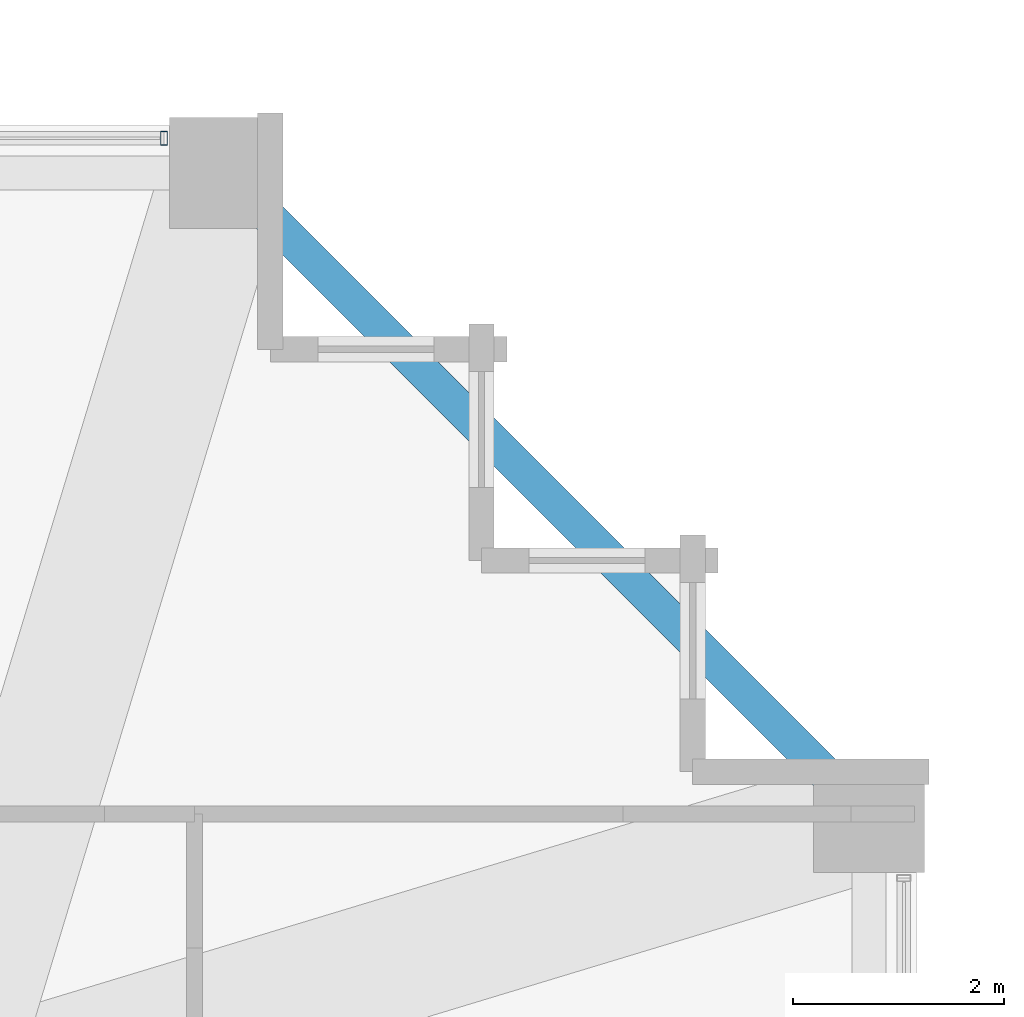
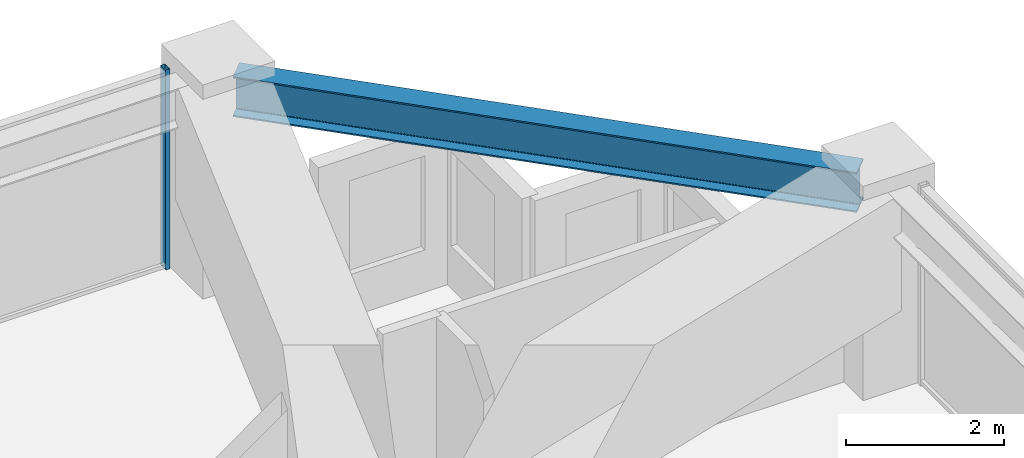
# One storey, part 24 of 36: 1 beam, 1 member, 1 element without a shape of its own.
"""IFC4 building model written with IfcOpenShell, lengths in metres."""

from ifc_helpers import new_model, si_unit, direction, frame, origin, origin_2d, place, context, subcontext, project, spatial, hollow_rectangle, i_section, extrude, material, material_profile, profile_set, type_object, element, aggregate, save


model = new_model("IFC4")

# Units and contexts
model_context = context("Model", 3, precision=1e-05, world=origin(), true_north=direction((0.0, 1.0)))
body_context = subcontext(model_context, "Body", "Model", "MODEL_VIEW")
ifc_project = project(units=[si_unit("LENGTHUNIT", "METRE"), si_unit("AREAUNIT", "SQUARE_METRE"), si_unit("VOLUMEUNIT", "CUBIC_METRE"), si_unit("PLANEANGLEUNIT", "RADIAN"), si_unit("MASSUNIT", "GRAM", prefix="KILO")], contexts=[model_context])

# Site, building, storey
site_placement = place(None, origin())
site = spatial("IfcSite", under=ifc_project, at=site_placement, CompositionType="ELEMENT")
building_placement = place(site_placement, origin())
building = spatial("IfcBuilding", under=site, at=building_placement, Name="Kolvaren Belvedere", CompositionType="ELEMENT")
storey_placement = place(building_placement, frame((0.0, 0.0, 108.5)))
storey = spatial("IfcBuildingStorey", under=building, at=storey_placement, Name="L31", CompositionType="ELEMENT", Elevation=108.5)

# Beam
ifc_material_1 = material(Name="Structural steel ASTM A992 Grade 50", Category="steel")
ifc_material_profile_1 = material_profile(ifc_material_1, i_section(OverallWidth=0.324951171875, OverallDepth=0.615966796875, WebThickness=0.013916015625, FlangeThickness=0.021484375, FilletRadius=0.02001953125, at=origin_2d()), Name="W24X117")
ifc_profile_set_1 = profile_set([ifc_material_profile_1], Name="Structural steel ASTM A992 Grade 50")
beam_type = type_object("IfcBeamType", Name="BM-SPAN-W24X117", PredefinedType="SPANDREL", material=ifc_profile_set_1)
beam_placement = place(storey_placement, frame((18.48291015625, 12.717041015625, 2.77197265625), z_axis=(-0.707106781187, 0.707106781187, 0.0), x_axis=(-0.707106781187, -0.707106781187, 0.0)))
element("IfcBeam", 1, at=beam_placement, inside=storey, type_object=beam_type, Name="L31 Perimeter Spandrel E4-N4", PredefinedType="SPANDREL", context=body_context, shape_type="SweptSolid", body=[
    extrude(i_section(OverallWidth=0.324951171875, OverallDepth=0.615966796875, WebThickness=0.013916015625, FlangeThickness=0.021484375, FilletRadius=0.02001953125, at=origin_2d()), origin(), (0.0, 0.0, 1.0), 8.154052734375),
])

# Curtain wall, member
ifc_material_2 = material(Name="Anodised pale-metal aluminium AA 6063-T6", Category="aluminium")
curtain_wall_type = type_object("IfcCurtainWallType", Name="CW-Z3-WAIST", PredefinedType="NOTDEFINED", material=ifc_material_2)
curtain_wall_placement = place(storey_placement, origin())
curtain_wall = element("IfcCurtainWall", 2, at=curtain_wall_placement, inside=storey, type_object=curtain_wall_type, Name="L31 Unitised Curtain Wall FCW-L31-N-B3", PredefinedType="NOTDEFINED")
ifc_material_3 = material(Name="Anodised pale-metal aluminium AA 6063-T6", Category="aluminium")
ifc_material_profile_2 = material_profile(ifc_material_3, hollow_rectangle(XDim=0.06494140625, YDim=0.1298828125, WallThickness=0.00390625, at=origin_2d()), Name="ALU-MUL-130X65")
ifc_profile_set_2 = profile_set([ifc_material_profile_2], Name="Anodised pale-metal aluminium AA 6063-T6")
member_type = type_object("IfcMemberType", Name="CW-MUL-130", PredefinedType="MULLION", material=ifc_profile_set_2)
member_placement = place(storey_placement, frame((11.972412109375, 18.97998046875, 0.0), z_axis=(0.0, 0.0, 1.0), x_axis=(1.0, 0.0, 0.0)))
member = element("IfcMember", 3, at=member_placement, type_object=member_type, Name="FCW-L31-N-B3 Unitised Mullion 3", PredefinedType="MULLION", context=body_context, shape_type="SweptSolid", body=[
    extrude(hollow_rectangle(XDim=0.06494140625, YDim=0.1298828125, WallThickness=0.00390625, at=origin_2d()), origin(), (0.0, 0.0, 1.0), 3.080078125),
])
aggregate(curtain_wall, [member])

save(model, "model.ifc")
